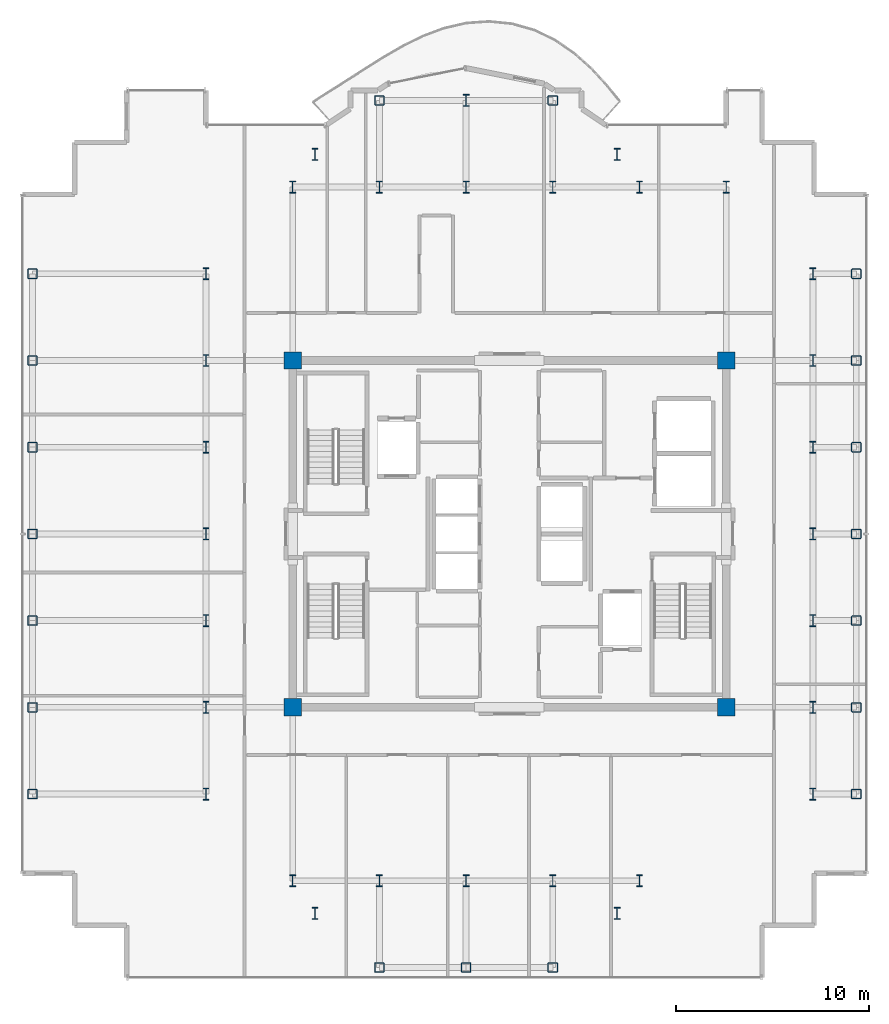
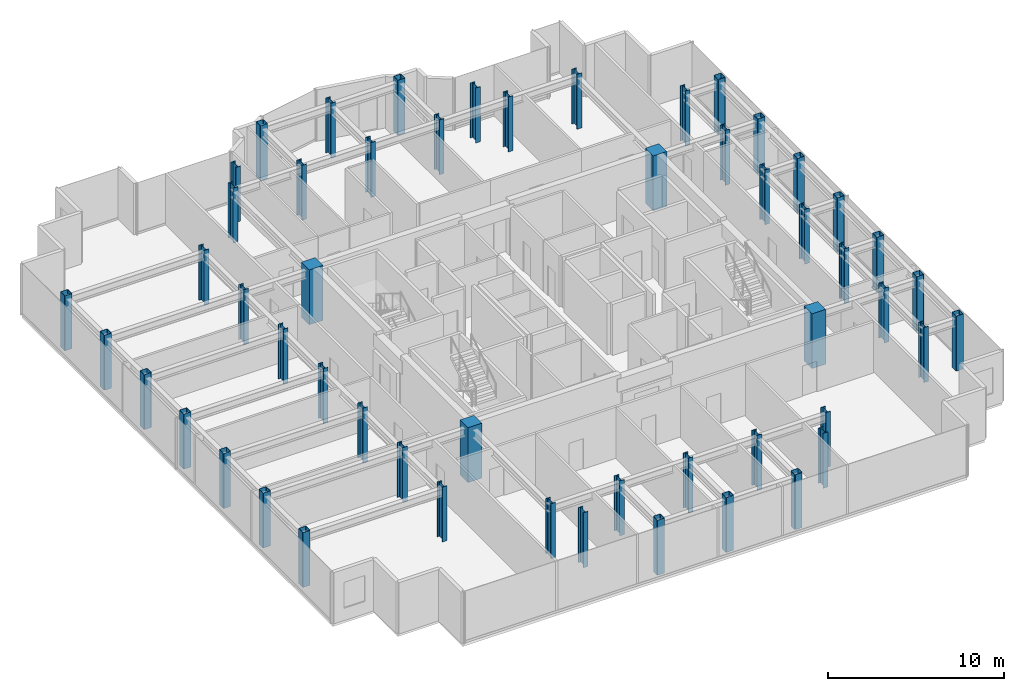
# One storey, part 1 of 18: 53 columns.
"""IFC4 building model written with IfcOpenShell, lengths in metres."""

from ifc_helpers import new_model, si_unit, direction, frame, origin, origin_2d, place, context, subcontext, project, spatial, rectangle, hollow_rectangle, i_section, extrude, source, transform, mapped, material, material_profile, profile_set, type_object, element, save


model = new_model("IFC4")

# Units and contexts
model_context = context("Model", 3, precision=1e-05, world=origin(), true_north=direction((0.0, 1.0)))
body_context = subcontext(model_context, "Body", "Model", "MODEL_VIEW")
ifc_project = project(units=[si_unit("LENGTHUNIT", "METRE"), si_unit("AREAUNIT", "SQUARE_METRE"), si_unit("VOLUMEUNIT", "CUBIC_METRE"), si_unit("PLANEANGLEUNIT", "RADIAN"), si_unit("MASSUNIT", "GRAM", prefix="KILO")], contexts=[model_context])

# Site, building, storey
site_placement = place(None, origin())
site = spatial("IfcSite", under=ifc_project, at=site_placement, CompositionType="ELEMENT")
building_placement = place(site_placement, origin())
building = spatial("IfcBuilding", under=site, at=building_placement, Name="Nefas-Gora Pilgrimage Tower", CompositionType="ELEMENT")
storey_placement = place(building_placement, frame((0.0, 0.0, 330.0)))
storey = spatial("IfcBuildingStorey", under=building, at=storey_placement, Name="L83", CompositionType="ELEMENT", Elevation=330.0)

# Columns
ifc_material_1 = material(Name="Steel S355", Category="steel")
ifc_material_profile_1 = material_profile(ifc_material_1, i_section(OverallWidth=0.304931640625, OverallDepth=0.6201171875, WebThickness=0.02099609375, FlangeThickness=0.0400390625, FilletRadius=0.027099609375, at=origin_2d()), Name="HEM 600")
ifc_profile_set_1 = profile_set([ifc_material_profile_1], Name="Steel S355")
column_type_1 = type_object("IfcColumnType", Name="COL-WEB-HEM600", PredefinedType="COLUMN", material=ifc_profile_set_1)
shared_shape_1 = source(origin(), body_context, "Body", "SweptSolid", [
    extrude(i_section(OverallWidth=0.304931640625, OverallDepth=0.6201171875, WebThickness=0.02099609375, FlangeThickness=0.0400390625, FilletRadius=0.027099609375, at=origin_2d()), origin(), (0.0, 0.0, 1.0), 3.800048828125),
])
for number, where, z_axis, x_axis, name in (
    (1, (-15.75, -13.5, 0.0), (0.0, 0.0, 1.0), (1.0, 0.0, 0.0), "L83 Tower Column CW-03.8"),
    (2, (-15.75, -9.0, 0.0), (0.0, 0.0, 1.0), (1.0, 0.0, 0.0), "L83 Tower Column CW-03.9"),
    (3, (-15.75, -4.5, 0.0), (0.0, 0.0, 1.0), (1.0, 0.0, 0.0), "L83 Tower Column CW-03.10"),
    (4, (-15.75, 0.0, 0.0), (0.0, 0.0, 1.0), (1.0, 0.0, 0.0), "L83 Tower Column CW-03.11"),
    (5, (-15.75, 4.5, 0.0), (0.0, 0.0, 1.0), (1.0, 0.0, 0.0), "L83 Tower Column CW-03.12"),
    (6, (-15.75, 9.0, 0.0), (0.0, 0.0, 1.0), (1.0, 0.0, 0.0), "L83 Tower Column CW-03.13"),
    (7, (-15.75, 13.5, 0.0), (0.0, 0.0, 1.0), (1.0, 0.0, 0.0), "L83 Tower Column CW-03.14"),
    (8, (-11.25, -18.0, 0.0), (0.0, 0.0, 1.0), (1.0, 0.0, 0.0), "L83 Tower Column CW-03.15"),
    (9, (-11.25, 18.0, 0.0), (0.0, 0.0, 1.0), (1.0, 0.0, 0.0), "L83 Tower Column CW-03.18"),
    (10, (-10.091064453125, -19.696044921875, 0.0), (0.0, 0.0, 1.0), (1.0, 0.0, 0.0), "L83 Tower Column CW-03.19"),
    (11, (-10.091064453125, 19.696044921875, 0.0), (0.0, 0.0, 1.0), (1.0, 0.0, 0.0), "L83 Tower Column CW-03.20"),
    (12, (-6.75, -18.0, 0.0), (0.0, 0.0, 1.0), (1.0, 0.0, 0.0), "L83 Tower Column CW-03.22"),
    (13, (-6.75, 18.0, 0.0), (0.0, 0.0, 1.0), (1.0, 0.0, 0.0), "L83 Tower Column CW-03.23"),
    (14, (-2.25, -18.0, 0.0), (0.0, 0.0, 1.0), (1.0, 0.0, 0.0), "L83 Tower Column CW-03.26"),
    (15, (-2.25, 18.0, 0.0), (0.0, 0.0, 1.0), (1.0, 0.0, 0.0), "L83 Tower Column CW-03.27"),
    (16, (-2.25, 22.5, 0.0), (0.0, 0.0, 1.0), (1.0, 0.0, 0.0), "L83 Tower Column CW-03.28"),
    (17, (2.25, -18.0, 0.0), (0.0, 0.0, 1.0), (1.0, 0.0, 0.0), "L83 Tower Column CW-03.30"),
    (18, (2.25, 18.0, 0.0), (0.0, 0.0, 1.0), (1.0, 0.0, 0.0), "L83 Tower Column CW-03.31"),
    (19, (5.591064453125, -19.696044921875, 0.0), (0.0, 0.0, 1.0), (1.0, 0.0, 0.0), "L83 Tower Column CW-03.33"),
    (20, (5.591064453125, 19.696044921875, 0.0), (0.0, 0.0, 1.0), (1.0, 0.0, 0.0), "L83 Tower Column CW-03.34"),
    (21, (6.75, -18.0, 0.0), (0.0, 0.0, 1.0), (1.0, 0.0, 0.0), "L83 Tower Column CW-03.35"),
    (22, (6.75, 18.0, 0.0), (0.0, 0.0, 1.0), (1.0, 0.0, 0.0), "L83 Tower Column CW-03.36"),
    (23, (11.25, 18.0, 0.0), (0.0, 0.0, 1.0), (1.0, 0.0, 0.0), "L83 Tower Column CW-03.39"),
    (24, (15.75, -13.5, 0.0), (0.0, 0.0, 1.0), (1.0, 0.0, 0.0), "L83 Tower Column CW-03.40"),
    (25, (15.75, -9.0, 0.0), (0.0, 0.0, 1.0), (1.0, 0.0, 0.0), "L83 Tower Column CW-03.41"),
    (26, (15.75, -4.5, 0.0), (0.0, 0.0, 1.0), (1.0, 0.0, 0.0), "L83 Tower Column CW-03.42"),
    (27, (15.75, 0.0, 0.0), (0.0, 0.0, 1.0), (1.0, 0.0, 0.0), "L83 Tower Column CW-03.43"),
    (28, (15.75, 4.5, 0.0), (0.0, 0.0, 1.0), (1.0, 0.0, 0.0), "L83 Tower Column CW-03.44"),
    (29, (15.75, 9.0, 0.0), (0.0, 0.0, 1.0), (1.0, 0.0, 0.0), "L83 Tower Column CW-03.45"),
    (30, (15.75, 13.5, 0.0), (0.0, 0.0, 1.0), (1.0, 0.0, 0.0), "L83 Tower Column CW-03.46"),
):
    element("IfcColumn", number, at=place(storey_placement, frame(where, z_axis=z_axis, x_axis=x_axis)), inside=storey, type_object=column_type_1, Name=name, PredefinedType="COLUMN", context=body_context, shape_type="MappedRepresentation", body=[
        mapped(shared_shape_1, transform((0.0, 0.0, 0.0), x_axis=(1.0, 0.0, 0.0), y_axis=(0.0, 1.0, 0.0), z_axis=(0.0, 0.0, 1.0), scale=1.0)),
    ])
ifc_material_profile_2 = material_profile(ifc_material_1, hollow_rectangle(XDim=0.5, YDim=0.5, WallThickness=0.02490234375, InnerFilletRadius=0.02490234375, OuterFilletRadius=0.050048828125, at=origin_2d()), Name="SHS 500x500x25")
ifc_profile_set_2 = profile_set([ifc_material_profile_2], Name="Steel S355")
column_type_2 = type_object("IfcColumnType", Name="COL-TUBE-500", PredefinedType="COLUMN", material=ifc_profile_set_2)
shared_shape_2 = source(origin(), body_context, "Body", "SweptSolid", [
    extrude(hollow_rectangle(XDim=0.5, YDim=0.5, WallThickness=0.02490234375, InnerFilletRadius=0.02490234375, OuterFilletRadius=0.050048828125, at=origin_2d()), origin(), (0.0, 0.0, 1.0), 3.800048828125),
])
for number, where, z_axis, x_axis, name in (
    (31, (-24.75, -13.5, 0.0), (0.0, 0.0, 1.0), (1.0, 0.0, 0.0), "L83 Tower Column C-Z4.1"),
    (32, (-24.75, -9.0, 0.0), (0.0, 0.0, 1.0), (1.0, 0.0, 0.0), "L83 Tower Column C-Z4.2"),
    (33, (-24.75, -4.5, 0.0), (0.0, 0.0, 1.0), (1.0, 0.0, 0.0), "L83 Tower Column C-Z4.3"),
    (34, (-24.75, 0.0, 0.0), (0.0, 0.0, 1.0), (1.0, 0.0, 0.0), "L83 Tower Column C-Z4.4"),
    (35, (-24.75, 4.5, 0.0), (0.0, 0.0, 1.0), (1.0, 0.0, 0.0), "L83 Tower Column C-Z4.5"),
    (36, (-24.75, 9.0, 0.0), (0.0, 0.0, 1.0), (1.0, 0.0, 0.0), "L83 Tower Column C-Z4.6"),
    (37, (-24.75, 13.5, 0.0), (0.0, 0.0, 1.0), (1.0, 0.0, 0.0), "L83 Tower Column C-Z4.7"),
    (38, (-6.75, -22.5, 0.0), (0.0, 0.0, 1.0), (1.0, 0.0, 0.0), "L83 Tower Column C-Z4.21"),
    (39, (-6.75, 22.5, 0.0), (0.0, 0.0, 1.0), (1.0, 0.0, 0.0), "L83 Tower Column C-Z4.24"),
    (40, (-2.25, -22.5, 0.0), (0.0, 0.0, 1.0), (1.0, 0.0, 0.0), "L83 Tower Column C-Z4.25"),
    (41, (2.25, -22.5, 0.0), (0.0, 0.0, 1.0), (1.0, 0.0, 0.0), "L83 Tower Column C-Z4.29"),
    (42, (2.25, 22.5, 0.0), (0.0, 0.0, 1.0), (1.0, 0.0, 0.0), "L83 Tower Column C-Z4.32"),
    (43, (18.0, -13.5, 0.0), (0.0, 0.0, 1.0), (1.0, 0.0, 0.0), "L83 Tower Column C-Z4.47"),
    (44, (18.0, -9.0, 0.0), (0.0, 0.0, 1.0), (1.0, 0.0, 0.0), "L83 Tower Column C-Z4.48"),
    (45, (18.0, -4.5, 0.0), (0.0, 0.0, 1.0), (1.0, 0.0, 0.0), "L83 Tower Column C-Z4.49"),
    (46, (18.0, 0.0, 0.0), (0.0, 0.0, 1.0), (1.0, 0.0, 0.0), "L83 Tower Column C-Z4.50"),
    (47, (18.0, 4.5, 0.0), (0.0, 0.0, 1.0), (1.0, 0.0, 0.0), "L83 Tower Column C-Z4.51"),
    (48, (18.0, 9.0, 0.0), (0.0, 0.0, 1.0), (1.0, 0.0, 0.0), "L83 Tower Column C-Z4.52"),
    (49, (18.0, 13.5, 0.0), (0.0, 0.0, 1.0), (1.0, 0.0, 0.0), "L83 Tower Column C-Z4.53"),
):
    element("IfcColumn", number, at=place(storey_placement, frame(where, z_axis=z_axis, x_axis=x_axis)), inside=storey, type_object=column_type_2, Name=name, PredefinedType="COLUMN", context=body_context, shape_type="MappedRepresentation", body=[
        mapped(shared_shape_2, transform((0.0, 0.0, 0.0), x_axis=(1.0, 0.0, 0.0), y_axis=(0.0, 1.0, 0.0), z_axis=(0.0, 0.0, 1.0), scale=1.0)),
    ])
ifc_material_2 = material(Name="Concrete C50/60", Category="concrete")
ifc_material_profile_3 = material_profile(ifc_material_2, rectangle(XDim=0.89990234375, YDim=0.89990234375, at=origin_2d()), Name="RC 900x900")
ifc_profile_set_3 = profile_set([ifc_material_profile_3], Name="Concrete C50/60")
column_type_3 = type_object("IfcColumnType", Name="COL-RC-900", PredefinedType="COLUMN", material=ifc_profile_set_3)
shared_shape_3 = source(origin(), body_context, "Body", "SweptSolid", [
    extrude(rectangle(XDim=0.89990234375, YDim=0.89990234375, at=origin_2d()), origin(), (0.0, 0.0, 1.0), 3.800048828125),
])
for number, where, z_axis, x_axis, name in (
    (50, (-11.25, -9.0, 0.0), (0.0, 0.0, 1.0), (1.0, 0.0, 0.0), "L83 Tower Column CRC-02.16"),
    (51, (-11.25, 9.0, 0.0), (0.0, 0.0, 1.0), (1.0, 0.0, 0.0), "L83 Tower Column CRC-02.17"),
    (52, (11.25, -9.0, 0.0), (0.0, 0.0, 1.0), (1.0, 0.0, 0.0), "L83 Tower Column CRC-02.37"),
    (53, (11.25, 9.0, 0.0), (0.0, 0.0, 1.0), (1.0, 0.0, 0.0), "L83 Tower Column CRC-02.38"),
):
    element("IfcColumn", number, at=place(storey_placement, frame(where, z_axis=z_axis, x_axis=x_axis)), inside=storey, type_object=column_type_3, Name=name, PredefinedType="COLUMN", context=body_context, shape_type="MappedRepresentation", body=[
        mapped(shared_shape_3, transform((0.0, 0.0, 0.0), x_axis=(1.0, 0.0, 0.0), y_axis=(0.0, 1.0, 0.0), z_axis=(0.0, 0.0, 1.0), scale=1.0)),
    ])

save(model, "model.ifc")
